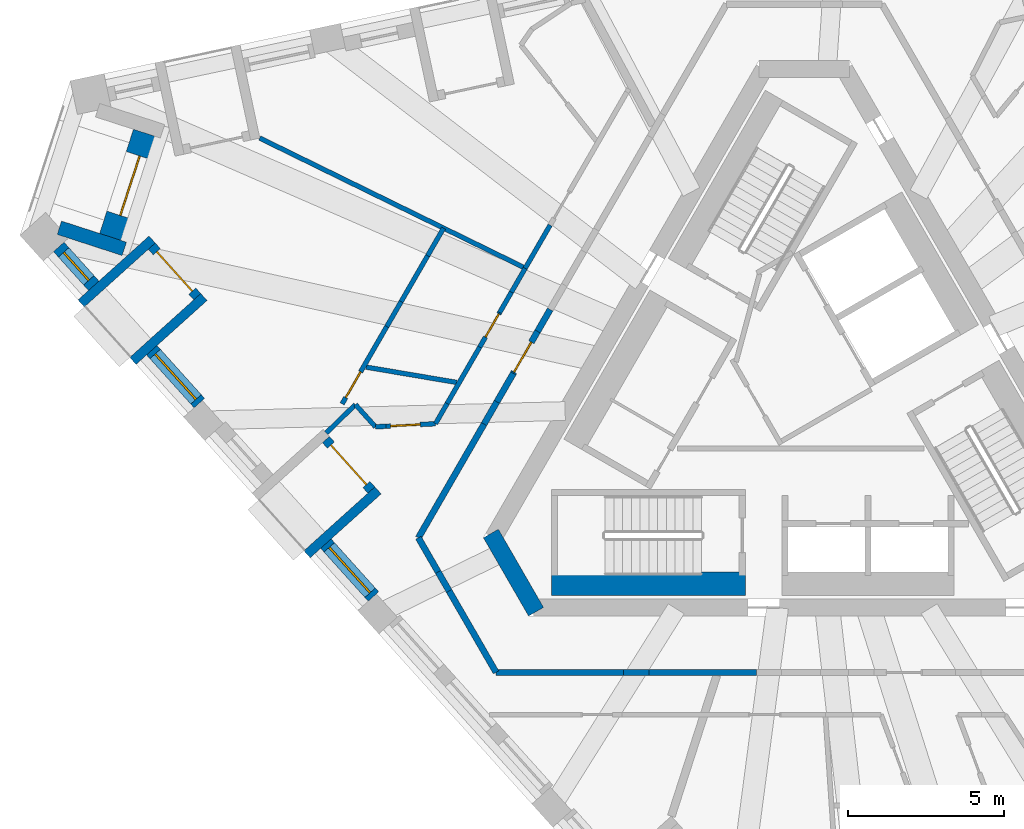
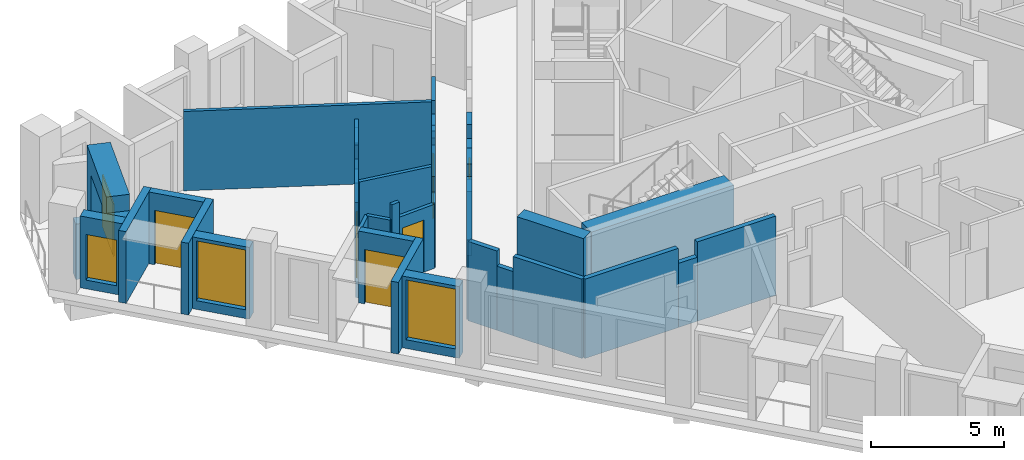
# One storey, part 3 of 12: 39 walls, 7 doors, 3 windows, 10 openings.
"""IFC4 building model written with IfcOpenShell, lengths in metres."""

from ifc_helpers import new_model, si_unit, direction, frame, frame_2d, origin, place, context, subcontext, project, spatial, polyline, rectangle, outline, extrude, material, layer, layer_set, type_object, element, fill, save


model = new_model("IFC4")

# Units and contexts
model_context = context("Model", 3, precision=1e-05, world=origin(), true_north=direction((0.0, 1.0)))
body_context = subcontext(model_context, "Body", "Model", "MODEL_VIEW")
ifc_project = project(units=[si_unit("LENGTHUNIT", "METRE"), si_unit("AREAUNIT", "SQUARE_METRE"), si_unit("VOLUMEUNIT", "CUBIC_METRE"), si_unit("PLANEANGLEUNIT", "RADIAN"), si_unit("MASSUNIT", "GRAM", prefix="KILO")], contexts=[model_context])

# Site, building, storey
site_placement = place(None, origin())
site = spatial("IfcSite", under=ifc_project, at=site_placement, CompositionType="ELEMENT")
building_placement = place(site_placement, origin())
building = spatial("IfcBuilding", under=site, at=building_placement, Name="Tramontana Tower", CompositionType="ELEMENT")
storey_placement = place(building_placement, frame((0.0, 0.0, 336.39990234375)))
storey = spatial("IfcBuildingStorey", under=building, at=storey_placement, Name="L77", CompositionType="ELEMENT", Elevation=336.39990234375)

# Walls
ifc_material_1 = material(Name="Concrete 70 MPa", Category="concrete")
ifc_layer_1 = layer(ifc_material_1, 0.550048828125)
ifc_layer_set_1 = layer_set([ifc_layer_1], Name="Core wall 550 70 MPa")
wall_type_1 = type_object("IfcWallType", Name="Core wall 550 70 MPa", PredefinedType="SHEAR", material=ifc_layer_set_1)
wall_1_placement = place(storey_placement, frame((-10.009765625, -4.112548828125, 0.0), z_axis=(0.0, 0.0, 1.0), x_axis=(0.499995765644, -0.866027848477, 0.0)))
element("IfcWall", 1, at=wall_1_placement, inside=storey, type_object=wall_type_1, Name="Core wall C2 L77", PredefinedType="SHEAR", context=body_context, shape_type="SweptSolid", body=[
    extrude(rectangle(XDim=2.88671875, YDim=0.550048828125, at=frame_2d((1.443359375, 0.0))), origin(), (0.0, 0.0, 1.0), 4.0),
])
ifc_material_2 = material(Name="Blockwork", Category="masonry")
ifc_layer_2 = layer(ifc_material_2, 0.199951171875)
ifc_layer_set_2 = layer_set([ifc_layer_2], Name="ENTRY WALL 200")
wall_type_2 = type_object("IfcWallType", Name="ENTRY WALL 200", PredefinedType="SOLIDWALL", material=ifc_layer_set_2)
wall_2_placement = place(storey_placement, frame((-1.528564453125, -8.550048828125, 0.0), z_axis=(0.0, 0.0, 1.0), x_axis=(-1.0, 0.0, 0.0)))
element("IfcWall", 2, at=wall_2_placement, inside=storey, type_object=wall_type_2, Name="Wall v81-ew1-8", PredefinedType="SOLIDWALL", context=body_context, shape_type="SweptSolid", body=[
    extrude(rectangle(XDim=3.423095703125, YDim=0.199951171875, at=frame_2d((1.71142578125, 0.0))), origin(), (0.0, 0.0, 1.0), 3.650146484375),
])
wall_3_placement = place(storey_placement, frame((-4.95166015625, -8.550048828125, 0.0), z_axis=(0.0, 0.0, 1.0), x_axis=(-1.0, 0.0, 0.0)))
element("IfcWall", 3, at=wall_3_placement, inside=storey, type_object=wall_type_2, Name="Wall v81-ew1-9", PredefinedType="SOLIDWALL", context=body_context, shape_type="SweptSolid", body=[
    extrude(rectangle(XDim=0.826416015625, YDim=0.199951171875, at=frame_2d((0.4130859375, 0.0))), origin(), (0.0, 0.0, 1.0), 2.9501953125),
])
wall_4_placement = place(storey_placement, frame((-5.778076171875, -8.550048828125, 0.0), z_axis=(0.0, 0.0, 1.0), x_axis=(-1.0, 0.0, 0.0)))
element("IfcWall", 4, at=wall_4_placement, inside=storey, type_object=wall_type_2, Name="Wall v81-ew1-10", PredefinedType="SOLIDWALL", context=body_context, shape_type="SweptSolid", body=[
    extrude(rectangle(XDim=4.065673828125, YDim=0.199951171875, at=frame_2d((2.03271484375, 0.0))), origin(), (0.0, 0.0, 1.0), 3.650146484375),
])
wall_5_placement = place(storey_placement, frame((-9.84375, -8.550048828125, 0.0), z_axis=(0.0, 0.0, 1.0), x_axis=(-0.500003959331, 0.866023117852, 0.0)))
element("IfcWall", 5, at=wall_5_placement, inside=storey, type_object=wall_type_2, Name="Wall v81-ew2-0", PredefinedType="SOLIDWALL", context=body_context, shape_type="SweptSolid", body=[
    extrude(rectangle(XDim=3.0029296875, YDim=0.199951171875, at=frame_2d((1.50146484375, 0.0))), origin(), (0.0, 0.0, 1.0), 3.650146484375),
])
wall_6_placement = place(storey_placement, frame((-11.34521484375, -5.949462890625, 0.0), z_axis=(0.0, 0.0, 1.0), x_axis=(-0.499993523031, 0.866029143232, 0.0)))
element("IfcWall", 6, at=wall_6_placement, inside=storey, type_object=wall_type_2, Name="Wall v81-ew2-1", PredefinedType="SOLIDWALL", context=body_context, shape_type="SweptSolid", body=[
    extrude(rectangle(XDim=0.70166015625, YDim=0.199951171875, at=frame_2d((0.350830078125, 0.0))), origin(), (0.0, 0.0, 1.0), 2.9501953125),
])
wall_7_placement = place(storey_placement, frame((-11.696044921875, -5.341796875, 0.0), z_axis=(0.0, 0.0, 1.0), x_axis=(-0.500013012896, 0.866017890655, 0.0)))
element("IfcWall", 7, at=wall_7_placement, inside=storey, type_object=wall_type_2, Name="Wall v81-ew2-2", PredefinedType="SOLIDWALL", context=body_context, shape_type="SweptSolid", body=[
    extrude(rectangle(XDim=1.2607421875, YDim=0.199951171875, at=frame_2d((0.63037109375, 0.0))), origin(), (0.0, 0.0, 1.0), 3.650146484375),
])
wall_8_placement = place(storey_placement, frame((-12.326416015625, -4.25, 0.0), z_axis=(0.0, 0.0, 1.0), x_axis=(0.499982771656, 0.866035350345, 0.0)))
element("IfcWall", 8, at=wall_8_placement, inside=storey, type_object=wall_type_2, Name="Wall v81-ew3-0", PredefinedType="SOLIDWALL", context=body_context, shape_type="SweptSolid", body=[
    extrude(rectangle(XDim=4.194580078125, YDim=0.199951171875, at=frame_2d((2.09716796875, 0.0))), origin(), (0.0, 0.0, 1.0), 3.650146484375),
])
wall_9_placement = place(storey_placement, frame((-10.229248046875, -0.617431640625, 0.0), z_axis=(0.0, 0.0, 1.0), x_axis=(0.5001686003, 0.865928040471, 0.0)))
element("IfcWall", 9, at=wall_9_placement, inside=storey, type_object=wall_type_2, Name="Wall v81-ew3-1", PredefinedType="SOLIDWALL", context=body_context, shape_type="SweptSolid", body=[
    extrude(rectangle(XDim=0.821044921875, YDim=0.199951171875, at=frame_2d((0.41064453125, 0.0))), origin(), (0.0, 0.0, 1.0), 2.9501953125),
])
wall_10_placement = place(storey_placement, frame((-9.818603515625, 0.093505859375, 0.0), z_axis=(0.0, 0.0, 1.0), x_axis=(0.499890179513, 0.866088799389, 0.0)))
element("IfcWall", 10, at=wall_10_placement, inside=storey, type_object=wall_type_2, Name="Wall v81-ew3-2", PredefinedType="SOLIDWALL", context=body_context, shape_type="SweptSolid", body=[
    extrude(rectangle(XDim=1.050048828125, YDim=0.199951171875, at=frame_2d((0.52490234375, 0.0))), origin(), (0.0, 0.0, 1.0), 3.650146484375),
])

# Wall, opening, door
wall_11_placement = place(storey_placement, frame((-9.293701171875, 1.0029296875, 0.0), z_axis=(0.0, 0.0, 1.0), x_axis=(0.500054401891, 0.86599399256, 0.0)))
wall_11 = element("IfcWall", 11, at=wall_11_placement, inside=storey, type_object=wall_type_2, Name="Wall v81-ew3-3", PredefinedType="SOLIDWALL", context=body_context, shape_type="SweptSolid", body=[
    extrude(outline(polyline([(0.0, 0.0), (1.549072265625, 0.0), (1.549072265625, 2.550048828125), (0.605224609375, 2.550048828125), (0.605224609375, 3.650146484375), (0.0, 3.650146484375), (0.0, 0.0)])), frame((0.0, 0.10009765625, 0.0), z_axis=(0.0, -1.0, 0.0), x_axis=(1.0, 0.0, 0.0)), (0.0, 0.0, 1.0), 0.199951171875),
])
opening_1_placement = place(wall_11_placement, frame((0.050048828125, 0.0, 0.0)))
opening_1 = element("IfcOpeningElement", 12, at=opening_1_placement, cuts=wall_11, Name="Opening B8B-16", PredefinedType="OPENING", context=body_context, shape_type="SweptSolid", body=[
    extrude(rectangle(XDim=1.10009765625, YDim=2.39990234375, at=frame_2d((0.550048828125, 1.199951171875))), frame((0.0, 0.10986328125, 0.0), z_axis=(0.0, -1.0, 0.0), x_axis=(1.0, 0.0, 0.0)), (0.0, 0.0, 1.0), 0.219970703125),
])
ifc_material_3 = material(Name="Painted timber", Category="wood")
door_type_1 = type_object("IfcDoorType", Name="DOOR ENTRY 1100", OperationType="SINGLE_SWING_LEFT", PredefinedType="DOOR", material=ifc_material_3)
door_1_placement = place(opening_1_placement, origin())
door_1 = element("IfcDoor", 13, at=door_1_placement, inside=storey, type_object=door_type_1, Name="Door B8B-16", OperationType="SINGLE_SWING_RIGHT", OverallHeight=2.39990234375, OverallWidth=1.10009765625, PredefinedType="DOOR", context=body_context, shape_type="SweptSolid", body=[
    extrude(rectangle(XDim=1.10009765625, YDim=2.39990234375, at=frame_2d((0.550048828125, 1.199951171875))), frame((0.0, 0.02490234375, 0.0), z_axis=(0.0, -1.0, 0.0), x_axis=(1.0, 0.0, 0.0)), (0.0, 0.0, 1.0), 0.050048828125),
])
fill(opening_1, door_1)

# Wall
wall_12_placement = place(storey_placement, frame((-8.51904296875, 2.344482421875, 0.0), z_axis=(0.0, 0.0, 1.0), x_axis=(0.499914554297, 0.866074730264, 0.0)))
element("IfcWall", 14, at=wall_12_placement, inside=storey, type_object=wall_type_2, Name="Wall v81-ew3-4", PredefinedType="SOLIDWALL", context=body_context, shape_type="SweptSolid", body=[
    extrude(rectangle(XDim=0.806884765625, YDim=0.199951171875, at=frame_2d((0.4033203125, 0.0))), origin(), (0.0, 0.0, 1.0), 3.650146484375),
])

# Wall, opening, window
ifc_material_4 = material(Name="Precast concrete 60 MPa", Category="concrete")
ifc_layer_3 = layer(ifc_material_4, 0.449951171875)
ifc_layer_set_3 = layer_set([ifc_layer_3], Name="Precast concrete 60 MPa, 450 mm")
wall_type_3 = type_object("IfcWallType", Name="EW1 Stone-faced precast wall 450", PredefinedType="SOLIDWALL", material=ifc_layer_set_3)
wall_13_placement = place(storey_placement, frame((-23.817138671875, 5.043212890625, 0.0), z_axis=(0.0, 0.0, 1.0), x_axis=(0.669182609054, -0.743097998746, 0.0)))
wall_13 = element("IfcWall", 15, at=wall_13_placement, inside=storey, type_object=wall_type_3, Name="External wall L77 face 0 bay 1", PredefinedType="SOLIDWALL", context=body_context, shape_type="SweptSolid", body=[
    extrude(rectangle(XDim=1.67138671875, YDim=0.449951171875, at=frame_2d((0.835693359375, 0.0))), origin(), (0.0, 0.0, 1.0), 3.300048828125),
])
opening_2_placement = place(wall_13_placement, frame((0.235595703125, 0.0, 0.39990234375)))
opening_2 = element("IfcOpeningElement", 16, at=opening_2_placement, cuts=wall_13, Name="Opening N3L", PredefinedType="OPENING", context=body_context, shape_type="SweptSolid", body=[
    extrude(rectangle(XDim=1.199951171875, YDim=2.10009765625, at=frame_2d((0.60009765625, 1.050048828125))), frame((0.0, 0.23486328125, 0.0), z_axis=(0.0, -1.0, 0.0), x_axis=(1.0, 0.0, 0.0)), (0.0, 0.0, 1.0), 0.469970703125),
])
ifc_material_5 = material(Name="Aluminum frame, double glazing unit", Category="aluminium")
window_type_1 = type_object("IfcWindowType", Name="N3L Window 1.2 x 2.1", PartitioningType="SINGLE_PANEL", PredefinedType="WINDOW", material=ifc_material_5)
window_1_placement = place(opening_2_placement, origin())
window_1 = element("IfcWindow", 17, at=window_1_placement, inside=storey, type_object=window_type_1, Name="Window N3L L77 face 0 module 1", OverallHeight=2.10009765625, OverallWidth=1.199951171875, PartitioningType="SINGLE_PANEL", PredefinedType="WINDOW", context=body_context, shape_type="SweptSolid", body=[
    extrude(rectangle(XDim=1.199951171875, YDim=2.10009765625, at=frame_2d((0.60009765625, 1.050048828125))), frame((0.0, 0.030029296875, 0.0), z_axis=(0.0, -1.0, 0.0), x_axis=(1.0, 0.0, 0.0)), (0.0, 0.0, 1.0), 0.06005859375),
])
fill(opening_2, window_1)

wall_14_placement = place(storey_placement, frame((-20.844482421875, 1.74169921875, 0.0), z_axis=(0.0, 0.0, 1.0), x_axis=(0.669160694992, -0.743117732447, 0.0)))
wall_14 = element("IfcWall", 18, at=wall_14_placement, inside=storey, type_object=wall_type_3, Name="External wall L77 face 0 bay 1", PredefinedType="SOLIDWALL", context=body_context, shape_type="SweptSolid", body=[
    extrude(rectangle(XDim=2.271240234375, YDim=0.449951171875, at=frame_2d((1.1357421875, 0.0))), origin(), (0.0, 0.0, 1.0), 3.300048828125),
])
opening_3_placement = place(wall_14_placement, frame((0.16064453125, 0.0, 0.39990234375)))
opening_3 = element("IfcOpeningElement", 19, at=opening_3_placement, cuts=wall_14, Name="Opening M3", PredefinedType="OPENING", context=body_context, shape_type="SweptSolid", body=[
    extrude(rectangle(XDim=1.949951171875, YDim=2.75, at=frame_2d((0.97509765625, 1.375))), frame((0.0, 0.23486328125, 0.0), z_axis=(0.0, -1.0, 0.0), x_axis=(1.0, 0.0, 0.0)), (0.0, 0.0, 1.0), 0.469970703125),
])
ifc_material_6 = material(Name="Aluminum frame, double glazing unit", Category="aluminium")
window_type_2 = type_object("IfcWindowType", Name="M3 Window 1.95 x 2.75", PartitioningType="SINGLE_PANEL", PredefinedType="WINDOW", material=ifc_material_6)
window_2_placement = place(opening_3_placement, origin())
window_2 = element("IfcWindow", 20, at=window_2_placement, inside=storey, type_object=window_type_2, Name="Window M3 L77 face 0 module 3", OverallHeight=2.75, OverallWidth=1.949951171875, PartitioningType="SINGLE_PANEL", PredefinedType="WINDOW", context=body_context, shape_type="SweptSolid", body=[
    extrude(rectangle(XDim=1.949951171875, YDim=2.75, at=frame_2d((0.97509765625, 1.375))), frame((0.0, 0.030029296875, 0.0), z_axis=(0.0, -1.0, 0.0), x_axis=(1.0, 0.0, 0.0)), (0.0, 0.0, 1.0), 0.06005859375),
])
fill(opening_3, window_2)

wall_15_placement = place(storey_placement, frame((-15.281494140625, -4.4365234375, 0.0), z_axis=(0.0, 0.0, 1.0), x_axis=(0.669107243666, -0.743165860676, 0.0)))
wall_15 = element("IfcWall", 21, at=wall_15_placement, inside=storey, type_object=wall_type_3, Name="External wall L77 face 0 bay 2", PredefinedType="SOLIDWALL", context=body_context, shape_type="SweptSolid", body=[
    extrude(rectangle(XDim=2.271240234375, YDim=0.449951171875, at=frame_2d((1.1357421875, 0.0))), origin(), (0.0, 0.0, 1.0), 3.300048828125),
])
opening_4_placement = place(wall_15_placement, frame((0.16064453125, 0.0, 0.39990234375)))
opening_4 = element("IfcOpeningElement", 22, at=opening_4_placement, cuts=wall_15, Name="Opening M3", PredefinedType="OPENING", context=body_context, shape_type="SweptSolid", body=[
    extrude(rectangle(XDim=1.949951171875, YDim=2.75, at=frame_2d((0.97509765625, 1.375))), frame((0.0, 0.23486328125, 0.0), z_axis=(0.0, -1.0, 0.0), x_axis=(1.0, 0.0, 0.0)), (0.0, 0.0, 1.0), 0.469970703125),
])
window_3_placement = place(opening_4_placement, origin())
window_3 = element("IfcWindow", 23, at=window_3_placement, inside=storey, type_object=window_type_2, Name="Window M3 L77 face 0 module 6", OverallHeight=2.75, OverallWidth=1.949951171875, PartitioningType="SINGLE_PANEL", PredefinedType="WINDOW", context=body_context, shape_type="SweptSolid", body=[
    extrude(rectangle(XDim=1.949951171875, YDim=2.75, at=frame_2d((0.97509765625, 1.375))), frame((0.0, 0.030029296875, 0.0), z_axis=(0.0, -1.0, 0.0), x_axis=(1.0, 0.0, 0.0)), (0.0, 0.0, 1.0), 0.06005859375),
])
fill(opening_4, window_3)

# Wall
wall_16_placement = place(storey_placement, frame((-23.79638671875, 5.6552734375, 0.0), z_axis=(0.0, 0.0, 1.0), x_axis=(0.951064526973, -0.308992338955, 0.0)))
element("IfcWall", 24, at=wall_16_placement, inside=storey, type_object=wall_type_3, Name="Corner loggia side wall L77 K80l", PredefinedType="SOLIDWALL", context=body_context, shape_type="SweptSolid", body=[
    extrude(rectangle(XDim=2.17919921875, YDim=0.449951171875, at=frame_2d((1.089599609375, 0.0))), origin(), (0.0, 0.0, 1.0), 2.550048828125),
])

# Wall, opening, door
ifc_material_7 = material(Name="Precast concrete 60 MPa", Category="concrete")
ifc_layer_4 = layer(ifc_material_7, 0.89990234375)
ifc_layer_set_4 = layer_set([ifc_layer_4], Name="EW2 Stone-faced corner loggia wall 900")
wall_type_4 = type_object("IfcWallType", Name="EW2 Stone-faced corner loggia wall 900", PredefinedType="SOLIDWALL", material=ifc_layer_set_4)
wall_17_placement = place(storey_placement, frame((-22.082275390625, 5.3349609375, 0.0), z_axis=(0.0, 0.0, 1.0), x_axis=(0.309019824916, 0.951055596592, 0.0)))
wall_17 = element("IfcWall", 25, at=wall_17_placement, inside=storey, type_object=wall_type_4, Name="Corner loggia wall L77 K80", PredefinedType="SOLIDWALL", context=body_context, shape_type="SweptSolid", body=[
    extrude(rectangle(XDim=3.5, YDim=0.89990234375, at=frame_2d((1.75, 0.0))), origin(), (0.0, 0.0, 1.0), 3.300048828125),
])
opening_5_placement = place(wall_17_placement, frame((0.75, 0.0, 0.0)))
opening_5 = element("IfcOpeningElement", 26, at=opening_5_placement, cuts=wall_17, Name="Opening BD-80C", PredefinedType="OPENING", context=body_context, shape_type="SweptSolid", body=[
    extrude(rectangle(XDim=2.0, YDim=2.39990234375, at=frame_2d((1.0, 1.199951171875))), frame((0.0, 0.4599609375, 0.0), z_axis=(0.0, -1.0, 0.0), x_axis=(1.0, 0.0, 0.0)), (0.0, 0.0, 1.0), 0.919921875),
])
ifc_material_8 = material(Name="Aluminum frame, double glazing unit", Category="aluminium")
door_type_2 = type_object("IfcDoorType", Name="BC1 Sliding door 2 x 2.4", OperationType="SLIDING_TO_LEFT", PredefinedType="DOOR", material=ifc_material_8)
door_2_placement = place(opening_5_placement, origin())
door_2 = element("IfcDoor", 27, at=door_2_placement, inside=storey, type_object=door_type_2, Name="Corner loggia door L77 K80", OperationType="SLIDING_TO_LEFT", OverallHeight=2.39990234375, OverallWidth=2.0, PredefinedType="DOOR", context=body_context, shape_type="SweptSolid", body=[
    extrude(rectangle(XDim=2.0, YDim=2.39990234375, at=frame_2d((1.0, 1.199951171875))), frame((0.0, 0.02490234375, 0.0), z_axis=(0.0, -1.0, 0.0), x_axis=(1.0, 0.0, 0.0)), (0.0, 0.0, 1.0), 0.050048828125),
])
fill(opening_5, door_2)

ifc_material_9 = material(Name="Precast concrete 60 MPa", Category="concrete")
ifc_layer_5 = layer(ifc_material_9, 0.300048828125)
ifc_layer_set_5 = layer_set([ifc_layer_5], Name="LW1 Stone-faced loggia wall 300")
wall_type_5 = type_object("IfcWallType", Name="LW1 Stone-faced loggia wall 300", PredefinedType="SOLIDWALL", material=ifc_layer_set_5)
wall_18_placement = place(storey_placement, frame((-20.844482421875, 5.067138671875, 0.0), z_axis=(0.0, 0.0, 1.0), x_axis=(0.669144868344, -0.743131983681, 0.0)))
wall_18 = element("IfcWall", 28, at=wall_18_placement, inside=storey, type_object=wall_type_5, Name="Loggia wall L77 G8S0.1", PredefinedType="SOLIDWALL", context=body_context, shape_type="SweptSolid", body=[
    extrude(rectangle(XDim=2.171142578125, YDim=0.300048828125, at=frame_2d((1.08544921875, 0.0))), origin(), (0.0, 0.0, 1.0), 3.300048828125),
])
opening_6_placement = place(wall_18_placement, frame((0.235595703125, 0.0, 0.0)))
opening_6 = element("IfcOpeningElement", 29, at=opening_6_placement, cuts=wall_18, Name="Opening BD-8S0-01", PredefinedType="OPENING", context=body_context, shape_type="SweptSolid", body=[
    extrude(rectangle(XDim=1.699951171875, YDim=2.5, at=frame_2d((0.85009765625, 1.25))), frame((0.0, 0.159912109375, 0.0), z_axis=(0.0, -1.0, 0.0), x_axis=(1.0, 0.0, 0.0)), (0.0, 0.0, 1.0), 0.320068359375),
])
ifc_material_10 = material(Name="Aluminum frame, double glazing unit", Category="aluminium")
door_type_3 = type_object("IfcDoorType", Name="BD3 Sliding door 1.7 x 2.5", OperationType="SLIDING_TO_LEFT", PredefinedType="DOOR", material=ifc_material_10)
door_3_placement = place(opening_6_placement, origin())
door_3 = element("IfcDoor", 30, at=door_3_placement, inside=storey, type_object=door_type_3, Name="Loggia door L77 G8S0.1", OperationType="SLIDING_TO_LEFT", OverallHeight=2.5, OverallWidth=1.699951171875, PredefinedType="DOOR", context=body_context, shape_type="SweptSolid", body=[
    extrude(rectangle(XDim=1.699951171875, YDim=2.5, at=frame_2d((0.85009765625, 1.25))), frame((0.0, 0.02490234375, 0.0), z_axis=(0.0, -1.0, 0.0), x_axis=(1.0, 0.0, 0.0)), (0.0, 0.0, 1.0), 0.050048828125),
])
fill(opening_6, door_3)

# Walls
for number, where, z_axis, x_axis, name in (
    (31, (-23.10009765625, 3.238037109375, 0.0), (0.0, 0.0, 1.0), (0.743158802514, 0.669115082961, 0.0), "Loggia return L77 G8S0.1a"),
    (32, (-21.446533203125, 1.401611328125, 0.0), (0.0, 0.0, 1.0), (0.743158802514, 0.669115082961, 0.0), "Loggia return L77 G8S0.1b"),
):
    element("IfcWall", number, at=place(storey_placement, frame(where, z_axis=z_axis, x_axis=x_axis)), inside=storey, type_object=wall_type_5, Name=name, PredefinedType="SOLIDWALL", context=body_context, shape_type="SweptSolid", body=[
        extrude(rectangle(XDim=3.050048828125, YDim=0.300048828125, at=frame_2d((1.52490234375, 0.0))), origin(), (0.0, 0.0, 1.0), 3.300048828125),
    ])

# Wall, opening, door
wall_19_placement = place(storey_placement, frame((-15.281494140625, -1.111328125, 0.0), z_axis=(0.0, 0.0, 1.0), x_axis=(0.669144868344, -0.743131983681, 0.0)))
wall_19 = element("IfcWall", 33, at=wall_19_placement, inside=storey, type_object=wall_type_5, Name="Loggia wall L77 G8S0.4", PredefinedType="SOLIDWALL", context=body_context, shape_type="SweptSolid", body=[
    extrude(rectangle(XDim=2.171142578125, YDim=0.300048828125, at=frame_2d((1.08544921875, 0.0))), origin(), (0.0, 0.0, 1.0), 3.300048828125),
])
opening_7_placement = place(wall_19_placement, frame((0.235595703125, 0.0, 0.0)))
opening_7 = element("IfcOpeningElement", 34, at=opening_7_placement, cuts=wall_19, Name="Opening BD-8S0-04", PredefinedType="OPENING", context=body_context, shape_type="SweptSolid", body=[
    extrude(rectangle(XDim=1.699951171875, YDim=2.5, at=frame_2d((0.85009765625, 1.25))), frame((0.0, 0.159912109375, 0.0), z_axis=(0.0, -1.0, 0.0), x_axis=(1.0, 0.0, 0.0)), (0.0, 0.0, 1.0), 0.320068359375),
])
door_4_placement = place(opening_7_placement, origin())
door_4 = element("IfcDoor", 35, at=door_4_placement, inside=storey, type_object=door_type_3, Name="Loggia door L77 G8S0.4", OperationType="SLIDING_TO_LEFT", OverallHeight=2.5, OverallWidth=1.699951171875, PredefinedType="DOOR", context=body_context, shape_type="SweptSolid", body=[
    extrude(rectangle(XDim=1.699951171875, YDim=2.5, at=frame_2d((0.85009765625, 1.25))), frame((0.0, 0.02490234375, 0.0), z_axis=(0.0, -1.0, 0.0), x_axis=(1.0, 0.0, 0.0)), (0.0, 0.0, 1.0), 0.050048828125),
])
fill(opening_7, door_4)

# Walls
wall_20_placement = place(storey_placement, frame((-15.88330078125, -4.77685546875, 0.0), z_axis=(0.0, 0.0, 1.0), x_axis=(0.743122960955, 0.669154888573, 0.0)))
element("IfcWall", 36, at=wall_20_placement, inside=storey, type_object=wall_type_5, Name="Loggia return L77 G8S0.4b", PredefinedType="SOLIDWALL", context=body_context, shape_type="SweptSolid", body=[
    extrude(rectangle(XDim=3.0498046875, YDim=0.300048828125, at=frame_2d((1.52490234375, 0.0))), origin(), (0.0, 0.0, 1.0), 3.300048828125),
])
ifc_material_11 = material(Name="Gypsum board partition")
ifc_layer_6 = layer(ifc_material_11, 0.14990234375)
ifc_layer_set_6 = layer_set([ifc_layer_6], Name="PARTITION 150")
wall_type_6 = type_object("IfcWallType", Name="PARTITION 150", PredefinedType="PARTITIONING", material=ifc_layer_set_6)
wall_21_placement = place(storey_placement, frame((-17.3935546875, 8.519775390625, 0.0), z_axis=(0.0, 0.0, 1.0), x_axis=(0.898055565806, -0.439882030463, 0.0)))
element("IfcWall", 37, at=wall_21_placement, inside=storey, type_object=wall_type_6, Name="Wall v81-pw00", PredefinedType="PARTITIONING", context=body_context, shape_type="SweptSolid", body=[
    extrude(rectangle(XDim=9.36962890625, YDim=0.14990234375, at=frame_2d((4.684814453125, 0.0))), origin(), (0.0, 0.0, 1.0), 3.650146484375),
])
wall_22_placement = place(storey_placement, frame((-15.2705078125, -0.8994140625, 0.0), z_axis=(0.0, 0.0, 1.0), x_axis=(0.716890692313, 0.69718558166, 0.0)))
element("IfcWall", 38, at=wall_22_placement, inside=storey, type_object=wall_type_6, Name="Wall v81-pw02-0", PredefinedType="PARTITIONING", context=body_context, shape_type="SweptSolid", body=[
    extrude(rectangle(XDim=1.301025390625, YDim=0.14990234375, at=frame_2d((0.650390625, 0.0))), origin(), (0.0, 0.0, 1.0), 2.9501953125),
])

# Wall, opening, door
wall_23_placement = place(storey_placement, frame((-14.76318359375, 0.029541015625, 0.0), z_axis=(0.0, 0.0, 1.0), x_axis=(0.500003887042, 0.866023159588, 0.0)))
wall_23 = element("IfcWall", 39, at=wall_23_placement, inside=storey, type_object=wall_type_6, Name="Wall v81-pw03-0", PredefinedType="PARTITIONING", context=body_context, shape_type="SweptSolid", body=[
    extrude(rectangle(XDim=2.853515625, YDim=0.14990234375, at=frame_2d((1.4267578125, 0.0))), origin(), (0.0, 0.0, 1.0), 3.650146484375),
])
opening_8_placement = place(wall_23_placement, frame((0.231201171875, 0.0, 0.0)))
opening_8 = element("IfcOpeningElement", 40, at=opening_8_placement, cuts=wall_23, Name="Opening B8B-15", PredefinedType="OPENING", context=body_context, shape_type="SweptSolid", body=[
    extrude(rectangle(XDim=0.949951171875, YDim=2.39990234375, at=frame_2d((0.47509765625, 1.199951171875))), frame((0.0, 0.0849609375, 0.0), z_axis=(0.0, -1.0, 0.0), x_axis=(1.0, 0.0, 0.0)), (0.0, 0.0, 1.0), 0.169921875),
])
ifc_material_12 = material(Name="Painted timber", Category="wood")
door_type_4 = type_object("IfcDoorType", Name="DOOR ROOM 950", OperationType="SINGLE_SWING_LEFT", PredefinedType="DOOR", material=ifc_material_12)
door_5_placement = place(opening_8_placement, origin())
door_5 = element("IfcDoor", 41, at=door_5_placement, inside=storey, type_object=door_type_4, Name="Door B8B-15", OperationType="SINGLE_SWING_LEFT", OverallHeight=2.39990234375, OverallWidth=0.949951171875, PredefinedType="DOOR", context=body_context, shape_type="SweptSolid", body=[
    extrude(rectangle(XDim=0.949951171875, YDim=2.39990234375, at=frame_2d((0.47509765625, 1.199951171875))), frame((0.0, 0.02490234375, 0.0), z_axis=(0.0, -1.0, 0.0), x_axis=(1.0, 0.0, 0.0)), (0.0, 0.0, 1.0), 0.050048828125),
])
fill(opening_8, door_5)

# Walls
wall_24_placement = place(storey_placement, frame((-13.33642578125, 2.500732421875, 0.0), z_axis=(0.0, 0.0, 1.0), x_axis=(0.500144624036, 0.865941888956, 0.0)))
element("IfcWall", 42, at=wall_24_placement, inside=storey, type_object=wall_type_6, Name="Wall v81-pw03-1", PredefinedType="PARTITIONING", context=body_context, shape_type="SweptSolid", body=[
    extrude(rectangle(XDim=0.917724609375, YDim=0.14990234375, at=frame_2d((0.458984375, 0.0))), origin(), (0.0, 0.0, 1.0), 2.550048828125),
])
wall_25_placement = place(storey_placement, frame((-12.87744140625, 3.29541015625, 0.0), z_axis=(0.0, 0.0, 1.0), x_axis=(0.499876388284, 0.86609675928, 0.0)))
element("IfcWall", 43, at=wall_25_placement, inside=storey, type_object=wall_type_6, Name="Wall v81-pw03-2", PredefinedType="PARTITIONING", context=body_context, shape_type="SweptSolid", body=[
    extrude(rectangle(XDim=1.693359375, YDim=0.14990234375, at=frame_2d((0.8466796875, 0.0))), origin(), (0.0, 0.0, 1.0), 3.650146484375),
])
wall_26_placement = place(storey_placement, frame((-12.031005859375, 4.761962890625, 0.0), z_axis=(0.0, 0.0, 1.0), x_axis=(0.500173430036, 0.86592525075, 0.0)))
element("IfcWall", 44, at=wall_26_placement, inside=storey, type_object=wall_type_6, Name="Wall v81-pw03-3", PredefinedType="PARTITIONING", context=body_context, shape_type="SweptSolid", body=[
    extrude(rectangle(XDim=1.015380859375, YDim=0.14990234375, at=frame_2d((0.5078125, 0.0))), origin(), (0.0, 0.0, 1.0), 2.550048828125),
])
wall_27_placement = place(storey_placement, frame((-14.337646484375, 0.007568359375, 0.0), z_axis=(0.0, 0.0, 1.0), x_axis=(0.669063599941, -0.743205152858, 0.0)))
element("IfcWall", 45, at=wall_27_placement, inside=storey, type_object=wall_type_6, Name="Wall v81-pw04-0", PredefinedType="PARTITIONING", context=body_context, shape_type="SweptSolid", body=[
    extrude(rectangle(XDim=0.954833984375, YDim=0.14990234375, at=frame_2d((0.4775390625, 0.0))), origin(), (0.0, 0.0, 1.0), 2.9501953125),
])
wall_28_placement = place(storey_placement, frame((-13.99853515625, 1.20361328125, 0.0), z_axis=(0.0, 0.0, 1.0), x_axis=(0.985967823365, -0.166935470431, 0.0)))
element("IfcWall", 46, at=wall_28_placement, inside=storey, type_object=wall_type_6, Name="Wall v81-pw05", PredefinedType="PARTITIONING", context=body_context, shape_type="SweptSolid", body=[
    extrude(rectangle(XDim=2.933837890625, YDim=0.14990234375, at=frame_2d((1.466796875, 0.0))), origin(), (0.0, 0.0, 1.0), 3.650146484375),
])
wall_29_placement = place(storey_placement, frame((-13.696533203125, -0.7041015625, 0.0), z_axis=(0.0, 0.0, 1.0), x_axis=(0.998699875795, 0.050976054049, 0.0)))
element("IfcWall", 47, at=wall_29_placement, inside=storey, type_object=wall_type_6, Name="Wall v81-pw06-0", PredefinedType="PARTITIONING", context=body_context, shape_type="SweptSolid", body=[
    extrude(rectangle(XDim=0.340087890625, YDim=0.14990234375, at=frame_2d((0.169921875, 0.0))), origin(), (0.0, 0.0, 1.0), 3.650146484375),
])

# Wall, opening, door
wall_30_placement = place(storey_placement, frame((-13.35693359375, -0.686767578125, 0.0), z_axis=(0.0, 0.0, 1.0), x_axis=(0.998690914006, 0.051151327273, 0.0)))
wall_30 = element("IfcWall", 48, at=wall_30_placement, inside=storey, type_object=wall_type_6, Name="Wall v81-pw06-1", PredefinedType="PARTITIONING", context=body_context, shape_type="SweptSolid", body=[
    extrude(rectangle(XDim=1.574951171875, YDim=0.14990234375, at=frame_2d((0.78759765625, 0.0))), origin(), (0.0, 0.0, 1.0), 2.9501953125),
])
opening_9_placement = place(wall_30_placement, frame((0.142578125, 0.0, 0.0)))
opening_9 = element("IfcOpeningElement", 49, at=opening_9_placement, cuts=wall_30, Name="Opening B8B-01", PredefinedType="OPENING", context=body_context, shape_type="SweptSolid", body=[
    extrude(rectangle(XDim=0.949951171875, YDim=2.39990234375, at=frame_2d((0.47509765625, 1.199951171875))), frame((0.0, 0.0849609375, 0.0), z_axis=(0.0, -1.0, 0.0), x_axis=(1.0, 0.0, 0.0)), (0.0, 0.0, 1.0), 0.169921875),
])
door_6_placement = place(opening_9_placement, origin())
door_6 = element("IfcDoor", 50, at=door_6_placement, inside=storey, type_object=door_type_4, Name="Door B8B-01", OperationType="SINGLE_SWING_LEFT", OverallHeight=2.39990234375, OverallWidth=0.949951171875, PredefinedType="DOOR", context=body_context, shape_type="SweptSolid", body=[
    extrude(rectangle(XDim=0.949951171875, YDim=2.39990234375, at=frame_2d((0.47509765625, 1.199951171875))), frame((0.0, 0.02490234375, 0.0), z_axis=(0.0, -1.0, 0.0), x_axis=(1.0, 0.0, 0.0)), (0.0, 0.0, 1.0), 0.050048828125),
])
fill(opening_9, door_6)

# Walls
wall_31_placement = place(storey_placement, frame((-11.7802734375, -0.60400390625, 0.0), z_axis=(0.0, 0.0, 1.0), x_axis=(0.500168092579, 0.865928333736, 0.0)))
element("IfcWall", 51, at=wall_31_placement, inside=storey, type_object=wall_type_6, Name="Wall v81-pw07-0", PredefinedType="PARTITIONING", context=body_context, shape_type="SweptSolid", body=[
    extrude(rectangle(XDim=0.742919921875, YDim=0.14990234375, at=frame_2d((0.37158203125, 0.0))), origin(), (0.0, 0.0, 1.0), 2.9501953125),
])
wall_32_placement = place(storey_placement, frame((-11.40869140625, 0.039306640625, 0.0), z_axis=(0.0, 0.0, 1.0), x_axis=(0.499969202016, 0.866043184279, 0.0)))
element("IfcWall", 52, at=wall_32_placement, inside=storey, type_object=wall_type_6, Name="Wall v81-pw07-1", PredefinedType="PARTITIONING", context=body_context, shape_type="SweptSolid", body=[
    extrude(rectangle(XDim=2.084228515625, YDim=0.14990234375, at=frame_2d((1.0419921875, 0.0))), origin(), (0.0, 0.0, 1.0), 3.650146484375),
])

# Wall, opening, door
wall_33_placement = place(storey_placement, frame((-10.36669921875, 1.84423828125, 0.0), z_axis=(0.0, 0.0, 1.0), x_axis=(0.499960764604, 0.866048055166, 0.0)))
wall_33 = element("IfcWall", 53, at=wall_33_placement, inside=storey, type_object=wall_type_6, Name="Wall v81-pw07-2", PredefinedType="PARTITIONING", context=body_context, shape_type="SweptSolid", body=[
    extrude(outline(polyline([(0.0, 0.0), (1.27099609375, 0.0), (1.271240234375, 3.650146484375), (0.917724609375, 3.650146484375), (0.917724609375, 2.550048828125), (0.0, 2.550048828125), (0.0, 0.0)])), frame((0.0, 0.074951171875, 0.0), z_axis=(0.0, -1.0, 0.0), x_axis=(1.0, 0.0, 0.0)), (0.0, 0.0, 1.0), 0.14990234375),
])
opening_10_placement = place(wall_33_placement, frame((0.37109375, 0.0, 0.0)))
opening_10 = element("IfcOpeningElement", 54, at=opening_10_placement, cuts=wall_33, Name="Opening B8B-02", PredefinedType="OPENING", context=body_context, shape_type="SweptSolid", body=[
    extrude(rectangle(XDim=0.85009765625, YDim=2.39990234375, at=frame_2d((0.425048828125, 1.199951171875))), frame((0.0, 0.0849609375, 0.0), z_axis=(0.0, -1.0, 0.0), x_axis=(1.0, 0.0, 0.0)), (0.0, 0.0, 1.0), 0.169921875),
])
ifc_material_13 = material(Name="Painted timber", Category="wood")
door_type_5 = type_object("IfcDoorType", Name="DOOR BATH 850", OperationType="SINGLE_SWING_LEFT", PredefinedType="DOOR", material=ifc_material_13)
door_7_placement = place(opening_10_placement, origin())
door_7 = element("IfcDoor", 55, at=door_7_placement, inside=storey, type_object=door_type_5, Name="Door B8B-02", OperationType="SINGLE_SWING_RIGHT", OverallHeight=2.39990234375, OverallWidth=0.85009765625, PredefinedType="DOOR", context=body_context, shape_type="SweptSolid", body=[
    extrude(rectangle(XDim=0.85009765625, YDim=2.39990234375, at=frame_2d((0.425048828125, 1.199951171875))), frame((0.0, 0.02490234375, 0.0), z_axis=(0.0, -1.0, 0.0), x_axis=(1.0, 0.0, 0.0)), (0.0, 0.0, 1.0), 0.050048828125),
])
fill(opening_10, door_7)

# Walls
wall_34_placement = place(storey_placement, frame((-9.731201171875, 2.945068359375, 0.0), z_axis=(0.0, 0.0, 1.0), x_axis=(0.500012686397, 0.866018079166, 0.0)))
element("IfcWall", 56, at=wall_34_placement, inside=storey, type_object=wall_type_6, Name="Wall v81-pw07-3", PredefinedType="PARTITIONING", context=body_context, shape_type="SweptSolid", body=[
    extrude(rectangle(XDim=0.75244140625, YDim=0.14990234375, at=frame_2d((0.376220703125, 0.0))), origin(), (0.0, 0.0, 1.0), 3.650146484375),
])
wall_35_placement = place(storey_placement, frame((-9.35498046875, 3.5966796875, 0.0), z_axis=(0.0, 0.0, 1.0), x_axis=(0.499986503906, 0.866033195618, 0.0)))
element("IfcWall", 57, at=wall_35_placement, inside=storey, type_object=wall_type_6, Name="Wall v81-pw07-4", PredefinedType="PARTITIONING", context=body_context, shape_type="SweptSolid", body=[
    extrude(rectangle(XDim=0.88037109375, YDim=0.14990234375, at=frame_2d((0.440185546875, 0.0))), origin(), (0.0, 0.0, 1.0), 2.550048828125),
])
wall_36_placement = place(storey_placement, frame((-8.914794921875, 4.359130859375, 0.0), z_axis=(0.0, 0.0, 1.0), x_axis=(0.500009674092, 0.866019818373, 0.0)))
element("IfcWall", 58, at=wall_36_placement, inside=storey, type_object=wall_type_6, Name="Wall v81-pw07-5", PredefinedType="PARTITIONING", context=body_context, shape_type="SweptSolid", body=[
    extrude(rectangle(XDim=1.59423828125, YDim=0.14990234375, at=frame_2d((0.797119140625, 0.0))), origin(), (0.0, 0.0, 1.0), 3.650146484375),
])
ifc_material_14 = material(Name="Concrete 70 MPa", Category="concrete")
ifc_layer_7 = layer(ifc_material_14, 0.75)
ifc_layer_set_7 = layer_set([ifc_layer_7], Name="Concrete 70 MPa, 750 mm")
wall_type_7 = type_object("IfcWallType", Name="RC SHAFT BACK WALL 750", PredefinedType="SOLIDWALL", material=ifc_layer_set_7)
wall_37_placement = place(storey_placement, frame((-8.080078125, -5.72509765625, 0.0), z_axis=(0.0, 0.0, 1.0), x_axis=(1.0, 0.0, 0.0)))
element("IfcWall", 59, at=wall_37_placement, inside=storey, type_object=wall_type_7, Name="Wall st2-back", PredefinedType="SOLIDWALL", context=body_context, shape_type="SweptSolid", body=[
    extrude(rectangle(XDim=6.2001953125, YDim=0.75, at=frame_2d((3.10009765625, 0.0))), origin(), (0.0, 0.0, 1.0), 3.650146484375),
])

save(model, "model.ifc")
